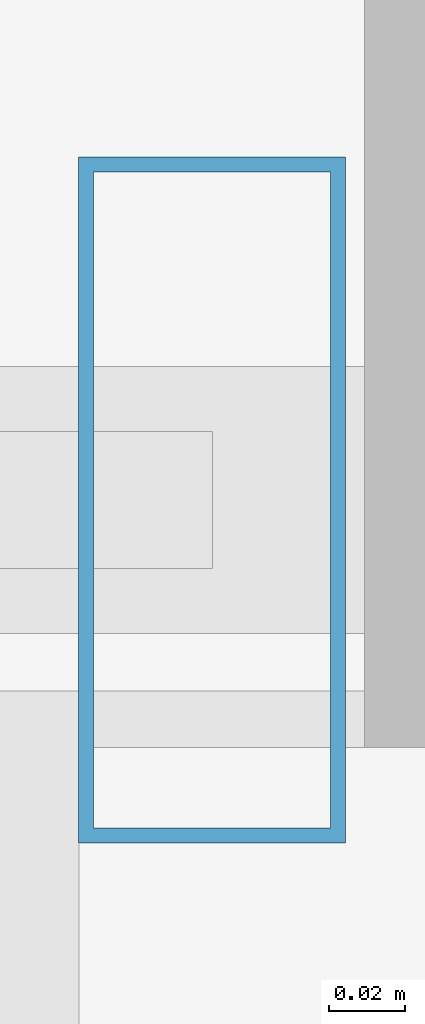
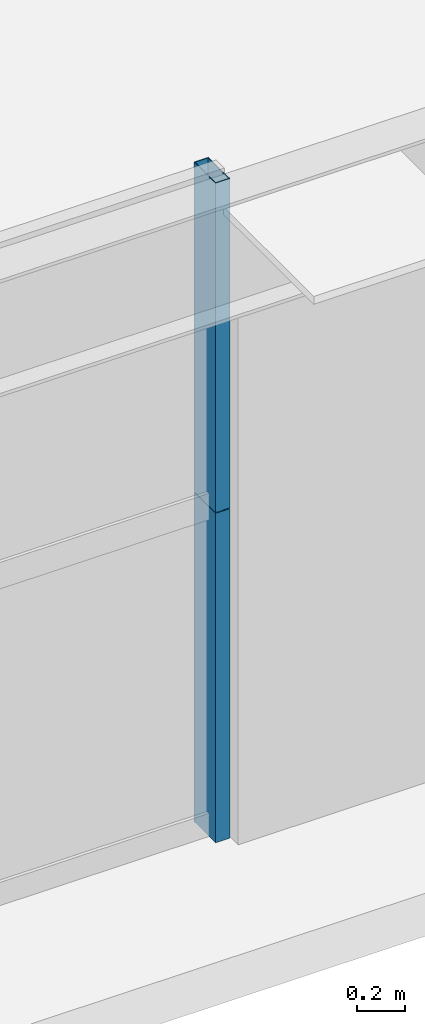
# One storey, part 16 of 45: 2 members, 1 element without a shape of its own.
"""IFC4 building model written with IfcOpenShell, lengths in metres."""

import ifcopenshell
import ifcopenshell.guid

model = None  # the IFC model being written
_history = None  # IfcOwnerHistory: only IFC2X3 demands one
_inside = {}  # id of a spatial element -> (the spatial element, [elements in it])
_under = {}  # id of a project, library or spatial element -> (it, [spatial elements below it])
_declared = {}  # id of a project -> (the project, [libraries it declares])
_typed = {}  # id of a type object -> (the type object, [elements of that type])
_made_of = {}  # id of a material, layer set ... -> (it, [elements and type objects made of it])


def new_model(schema):
    """Start an empty IFC model of exactly this schema.

    Asked for "IFC4X3", IfcOpenShell would pick the latest addendum, in which some entities
    have other attributes; the version numbers below select the first issue.
    IFC2X3 requires an IfcOwnerHistory on every rooted entity: one is made here for all.
    """
    global model, _history
    if schema == "IFC4X3":
        model = ifcopenshell.file(schema_version=(4, 3, 0, 0))
    else:
        model = ifcopenshell.file(schema=schema)
    _inside.clear()
    _under.clear()
    _declared.clear()
    _typed.clear()
    _made_of.clear()
    _history = None
    if model.schema == "IFC2X3":
        org = make("IfcOrganization", Name="unknown")
        user = make(
            "IfcPersonAndOrganization",
            ThePerson=make("IfcPerson", FamilyName="unknown"),
            TheOrganization=org,
        )
        app = make(
            "IfcApplication",
            ApplicationDeveloper=org,
            Version="unknown",
            ApplicationFullName="unknown",
            ApplicationIdentifier="unknown",
        )
        _history = make(
            "IfcOwnerHistory",
            OwningUser=user,
            OwningApplication=app,
            ChangeAction="ADDED",
            CreationDate=0,
        )
    return model


def make(cls, **values):
    """One entity of the class cls with the attributes given. An attribute that is None is left unset."""
    return model.create_entity(
        cls, **{name: value for name, value in values.items() if value is not None}
    )


def rooted(cls, **values):
    """An entity with a GlobalId (a new one), such as an element, a storey or a relation."""
    return make(cls, GlobalId=ifcopenshell.guid.new(), OwnerHistory=_history, **values)


def si_unit(unit_type, name, prefix=None):
    """IfcSIUnit, for example si_unit("LENGTHUNIT", "METRE", prefix="MILLI")."""
    return make("IfcSIUnit", UnitType=unit_type, Prefix=prefix, Name=name)


def assignment(units):
    """IfcUnitAssignment: the units of a project."""
    return None if units is None else make("IfcUnitAssignment", Units=units)


def point(xyz):
    """IfcCartesianPoint."""
    return None if xyz is None else make("IfcCartesianPoint", Coordinates=xyz)


def direction(xyz):
    """IfcDirection."""
    return None if xyz is None else make("IfcDirection", DirectionRatios=xyz)


def frame(location, z_axis=None, x_axis=None):
    """IfcAxis2Placement3D, a coordinate frame: its origin and axes. An axis left out is left unset."""
    return make(
        "IfcAxis2Placement3D",
        Location=point(location),
        Axis=direction(z_axis),
        RefDirection=direction(x_axis),
    )


def frame_2d(location, x_axis=None):
    """IfcAxis2Placement2D, a coordinate frame in the plane: its origin and x axis."""
    return make(
        "IfcAxis2Placement2D", Location=point(location), RefDirection=direction(x_axis)
    )


def origin():
    """The frame at (0, 0, 0) with its axes left unset."""
    return frame((0.0, 0.0, 0.0))


def origin_2d():
    """The frame at (0, 0) in the plane with its x axis left unset."""
    return frame_2d((0.0, 0.0))


def place(relative_to, where):
    """IfcLocalPlacement: puts the frame where relative to a parent placement (None: the world)."""
    return make(
        "IfcLocalPlacement", PlacementRelTo=relative_to, RelativePlacement=where
    )


def context(
    kind, dimensions, precision=None, world=None, true_north=None, identifier=None
):
    """IfcGeometricRepresentationContext, for example the 3D "Model" context."""
    return make(
        "IfcGeometricRepresentationContext",
        ContextIdentifier=identifier,
        ContextType=kind,
        CoordinateSpaceDimension=dimensions,
        Precision=precision,
        WorldCoordinateSystem=world,
        TrueNorth=true_north,
    )


def subcontext(parent, identifier, kind, view, scale=None):
    """IfcGeometricRepresentationSubContext, for example "Body" below "Model"."""
    return make(
        "IfcGeometricRepresentationSubContext",
        ContextIdentifier=identifier,
        ContextType=kind,
        ParentContext=parent,
        TargetScale=scale,
        TargetView=view,
    )


def project(units=None, contexts=None):
    """IfcProject with its units and contexts."""
    return rooted(
        "IfcProject",
        Name="project",
        RepresentationContexts=contexts,
        UnitsInContext=assignment(units),
    )


def spatial(cls, under=None, at=None, **own):
    """A site, building, storey or space (cls), placed at a placement, below another one or the project."""
    s = rooted(cls, ObjectPlacement=at, **own)
    if under is not None:
        _under.setdefault(under.id(), (under, []))[1].append(s)
    return s


def profile(cls, at=None, kind="AREA", **sizes):
    """A parametric profile (cls). Its sizes go by their IFC names, for example OverallWidth=200.0."""
    return make(cls, ProfileType=kind, Position=at, **sizes)


def hollow_rectangle(**sizes):
    """IfcRectangleHollowProfileDef."""
    return profile("IfcRectangleHollowProfileDef", **sizes)


def extrude(swept, where, along, depth):
    """IfcExtrudedAreaSolid: the profile swept, set in the frame where, extruded along a direction by depth."""
    return make(
        "IfcExtrudedAreaSolid",
        SweptArea=swept,
        Position=where,
        ExtrudedDirection=direction(along),
        Depth=depth,
    )


def shape(context_of_items, identifier, shape_type, items):
    """IfcShapeRepresentation: the items that make up one representation, for example the "Body"."""
    return make(
        "IfcShapeRepresentation",
        ContextOfItems=context_of_items,
        RepresentationIdentifier=identifier,
        RepresentationType=shape_type,
        Items=items,
    )


def source(mapping_origin, context_of_items, identifier, shape_type, items):
    """IfcRepresentationMap: a shape defined once, which mapped items show again and again."""
    return make(
        "IfcRepresentationMap",
        MappingOrigin=mapping_origin,
        MappedRepresentation=shape(context_of_items, identifier, shape_type, items),
    )


def transform(
    local_origin,
    x_axis=None,
    y_axis=None,
    z_axis=None,
    scale=None,
    scale2=None,
    scale3=None,
    uniform=True,
):
    """IfcCartesianTransformationOperator3D, or its non-uniform kind. x_axis, y_axis, z_axis: its Axis1, 2, 3."""
    if uniform:
        return make(
            "IfcCartesianTransformationOperator3D",
            Axis1=direction(x_axis),
            Axis2=direction(y_axis),
            LocalOrigin=point(local_origin),
            Scale=scale,
            Axis3=direction(z_axis),
        )
    return make(
        "IfcCartesianTransformationOperator3DnonUniform",
        Axis1=direction(x_axis),
        Axis2=direction(y_axis),
        LocalOrigin=point(local_origin),
        Scale=scale,
        Axis3=direction(z_axis),
        Scale2=scale2,
        Scale3=scale3,
    )


def mapped(mapping_source, mapping_target):
    """IfcMappedItem: shows the shape of a source again, moved by a transform."""
    return make(
        "IfcMappedItem", MappingSource=mapping_source, MappingTarget=mapping_target
    )


def material(Name=None, Category=None):
    """IfcMaterial."""
    return make("IfcMaterial", Name=Name, Category=Category)


def layer(
    of_material, thickness, ventilated=None, Name=None, Category=None, Priority=None
):
    """IfcMaterialLayer: one layer of a wall or slab, of a material (None: an air gap)."""
    return make(
        "IfcMaterialLayer",
        Material=of_material,
        LayerThickness=thickness,
        IsVentilated=ventilated,
        Name=Name,
        Category=Category,
        Priority=Priority,
    )


def layer_set(layers, Name=None):
    """IfcMaterialLayerSet."""
    return make("IfcMaterialLayerSet", MaterialLayers=layers, LayerSetName=Name)


def material_profile(
    of_material, cross_section, Name=None, Category=None, Priority=None
):
    """IfcMaterialProfile: a cross section and its material."""
    return make(
        "IfcMaterialProfile",
        Name=Name,
        Material=of_material,
        Profile=cross_section,
        Priority=Priority,
        Category=Category,
    )


def profile_set(profiles, Name=None, composite=None):
    """IfcMaterialProfileSet."""
    return make(
        "IfcMaterialProfileSet",
        Name=Name,
        MaterialProfiles=profiles,
        CompositeProfile=composite,
    )


def made_of(thing, what):
    """Note that an element or type object is made of a material, layer set ...; save() writes the relation."""
    if what is not None:
        _made_of.setdefault(what.id(), (what, []))[1].append(thing)
    return thing


def type_object(cls, material=None, **own):
    """A type object (cls), such as IfcWallType, which elements share."""
    return made_of(rooted(cls, **own), material)


def element(
    cls,
    number,
    at=None,
    inside=None,
    cuts=None,
    type_object=None,
    material=None,
    context=None,
    identifier="Body",
    shape_type=None,
    held_by="IfcProductDefinitionShape",
    body=None,
    shapes=None,
    **own,
):
    """One element of the class cls, such as IfcWall. Its Tag is "e" and its number.

    at: its placement. inside: the storey or other place that contains it. cuts: it is an
    opening in that element (IfcRelVoidsElement). A single representation is given by context,
    identifier, shape_type and body (its items); several are given by shapes. held_by: the class
    of the entity that holds the representations. save() writes the other relations.
    """
    e = rooted(cls, Tag="e%d" % number, ObjectPlacement=at, **own)
    if body is not None:
        shapes = [shape(context, identifier, shape_type, body)]
    if shapes is not None:
        e.Representation = make(held_by, Representations=shapes)
    if inside is not None:
        _inside.setdefault(inside.id(), (inside, []))[1].append(e)
    if cuts is not None:
        rooted(
            "IfcRelVoidsElement", RelatingBuildingElement=cuts, RelatedOpeningElement=e
        )
    if type_object is not None:
        _typed.setdefault(type_object.id(), (type_object, []))[1].append(e)
    return made_of(e, material)


def aggregate(whole, parts):
    """IfcRelAggregates: a whole, such as a stair, and the parts it consists of."""
    return rooted("IfcRelAggregates", RelatingObject=whole, RelatedObjects=parts)


def save(model, path):
    """Write the relations noted so far, then the file.

    IfcRelAggregates (storeys below a building ...), IfcRelContainedInSpatialStructure (elements
    in a storey), IfcRelDefinesByType, IfcRelAssociatesMaterial and IfcRelDeclares: one each for
    every whole, place, type object, material and project.
    """
    for whole, parts in _under.values():
        aggregate(whole, parts)
    for where, things in _inside.values():
        rooted(
            "IfcRelContainedInSpatialStructure",
            RelatedElements=things,
            RelatingStructure=where,
        )
    for kind, things in _typed.values():
        rooted("IfcRelDefinesByType", RelatedObjects=things, RelatingType=kind)
    for what, things in _made_of.values():
        rooted("IfcRelAssociatesMaterial", RelatedObjects=things, RelatingMaterial=what)
    for by, libraries in _declared.values():
        rooted("IfcRelDeclares", RelatingContext=by, RelatedDefinitions=libraries)
    model.write(path)


model = new_model("IFC4")

# Units and contexts
model_context = context("Model", 3, precision=1e-05, world=origin(), true_north=direction((0.0, 1.0)))
body_context = subcontext(model_context, "Body", "Model", "MODEL_VIEW")
ifc_project = project(units=[si_unit("LENGTHUNIT", "METRE"), si_unit("AREAUNIT", "SQUARE_METRE"), si_unit("VOLUMEUNIT", "CUBIC_METRE"), si_unit("PLANEANGLEUNIT", "RADIAN"), si_unit("MASSUNIT", "GRAM", prefix="KILO"), si_unit("THERMODYNAMICTEMPERATUREUNIT", "KELVIN"), si_unit("POWERUNIT", "WATT")], contexts=[model_context])

# Site, building, storey
site_placement = place(None, origin())
site = spatial("IfcSite", under=ifc_project, at=site_placement, CompositionType="ELEMENT")
building_placement = place(site_placement, origin())
building = spatial("IfcBuilding", under=site, at=building_placement, Name="Yuzanri Waterfront Tower", CompositionType="ELEMENT")
storey_placement = place(building_placement, frame((0.0, 0.0, 34.199951171875)))
storey = spatial("IfcBuildingStorey", under=building, at=storey_placement, Name="L08", CompositionType="ELEMENT", Elevation=34.199951171875)

# Curtain wall, members
ifc_material_1 = material(Name="Anodized Architectural Bronze", Category="metal")
ifc_layer = layer(ifc_material_1, 0.159912109375)
ifc_layer_set = layer_set([ifc_layer], Name="Anodized Architectural Bronze")
curtain_wall_type = type_object("IfcCurtainWallType", Name="Anodized Bronze Hotel Lower-Tier Recessed Unitized Curtain Wall 8100", PredefinedType="NOTDEFINED", material=ifc_layer_set)
curtain_wall_placement = place(storey_placement, origin())
curtain_wall = element("IfcCurtainWall", 1, at=curtain_wall_placement, inside=storey, type_object=curtain_wall_type, Name="L08 Curtain Wall CW-L08-SR", PredefinedType="NOTDEFINED")
ifc_material_2 = material(Name="Anodized Architectural Bronze", Category="metal")
ifc_material_profile = material_profile(ifc_material_2, hollow_rectangle(XDim=0.070068359375, YDim=0.179931640625, WallThickness=0.00390625, at=origin_2d()), Name="CWM 70x180")
ifc_profile_set = profile_set([ifc_material_profile], Name="Anodized Architectural Bronze")
member_type = type_object("IfcMemberType", Name="Anodized Bronze Standard Curtain-Wall Mullion 70x180", PredefinedType="MULLION", material=ifc_profile_set)
shared_shape = source(origin(), body_context, "Body", "SweptSolid", [
    extrude(hollow_rectangle(XDim=0.070068359375, YDim=0.179931640625, WallThickness=0.00390625, at=origin_2d()), origin(), (0.0, 0.0, 1.0), 1.68798828125),
])
member_1_placement = place(storey_placement, frame((54.7099609375, 0.85009765625, 0.0), z_axis=(0.0, 0.0, 1.0), x_axis=(1.0, 0.0, 0.0)))
member_1 = element("IfcMember", 2, at=member_1_placement, type_object=member_type, Name="CW-L08-SR Lower Mullion 02", PredefinedType="MULLION", context=body_context, shape_type="MappedRepresentation", body=[
    mapped(shared_shape, transform((0.0, 0.0, 0.0), scale=1.0)),
])
member_2_placement = place(storey_placement, frame((54.7099609375, 0.85009765625, 1.692138671875), z_axis=(0.0, 0.0, 1.0), x_axis=(1.0, 0.0, 0.0)))
member_2 = element("IfcMember", 3, at=member_2_placement, type_object=member_type, Name="CW-L08-SR Upper Mullion 02", PredefinedType="MULLION", context=body_context, shape_type="MappedRepresentation", body=[
    mapped(shared_shape, transform((0.0, 0.0, 0.0), scale=1.0)),
])
aggregate(curtain_wall, [member_1, member_2])

save(model, "model.ifc")
